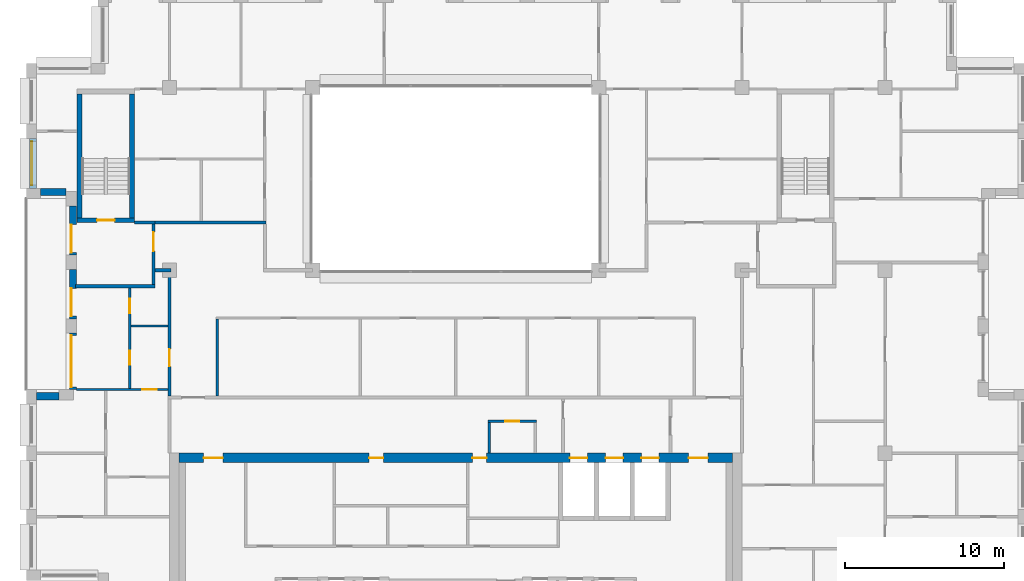
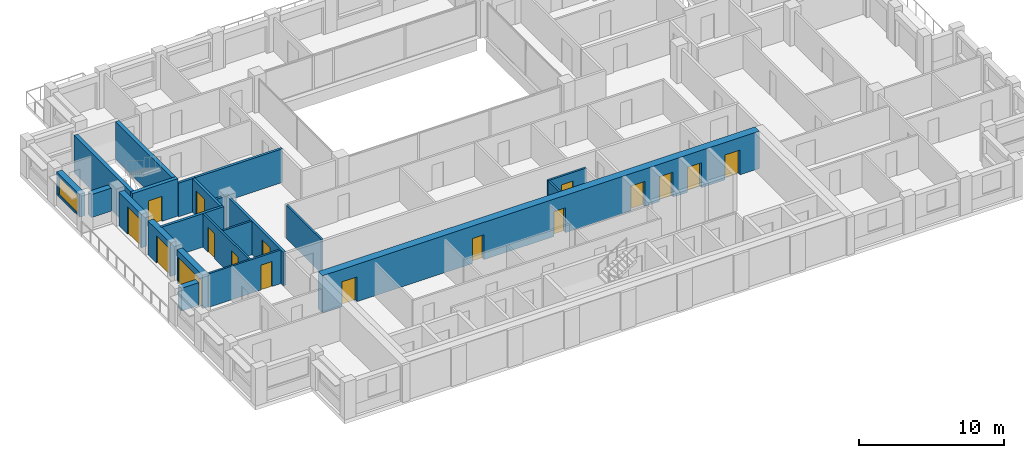
# One storey, part 9 of 15: 22 walls, 17 doors, 1 window, 18 openings.
"""IFC4 building model written with IfcOpenShell, lengths in metres."""

from ifc_helpers import new_model, si_unit, direction, frame, frame_2d, origin, place, context, subcontext, project, spatial, rectangle, extrude, material, layer, layer_set, type_object, element, fill, save


model = new_model("IFC4")

# Units and contexts
model_context = context("Model", 3, precision=1e-05, world=origin(), true_north=direction((0.0, 1.0)))
body_context = subcontext(model_context, "Body", "Model", "MODEL_VIEW")
ifc_project = project(units=[si_unit("LENGTHUNIT", "METRE"), si_unit("AREAUNIT", "SQUARE_METRE"), si_unit("VOLUMEUNIT", "CUBIC_METRE"), si_unit("PLANEANGLEUNIT", "RADIAN"), si_unit("MASSUNIT", "GRAM", prefix="KILO")], contexts=[model_context])

# Site, building, storey
site_placement = place(None, origin())
site = spatial("IfcSite", under=ifc_project, at=site_placement, CompositionType="ELEMENT")
building_placement = place(site_placement, origin())
building = spatial("IfcBuilding", under=site, at=building_placement, Name="Brigalow Station Residences", CompositionType="ELEMENT")
storey_placement = place(building_placement, frame((0.0, 0.0, 223.199951171875)))
storey = spatial("IfcBuildingStorey", under=building, at=storey_placement, Name="L64", CompositionType="ELEMENT", Elevation=223.199951171875)

# Wall, opening, window
ifc_material_1 = material(Name="Clay brick masonry", Category="masonry")
ifc_layer_1 = layer(ifc_material_1, 0.449951171875)
ifc_layer_set_1 = layer_set([ifc_layer_1], Name="BRICK INFILL WALL 450")
wall_type_1 = type_object("IfcWallType", Name="BRICK INFILL WALL 450", PredefinedType="SOLIDWALL", material=ifc_layer_set_1)
wall_1_placement = place(storey_placement, frame((9.425048828125, 32.300048828125, 0.900146484375), z_axis=(0.0, 0.0, 1.0), x_axis=(0.0, -1.0, 0.0)))
wall_1 = element("IfcWall", 1, at=wall_1_placement, inside=storey, type_object=wall_type_1, Name="L64/ewall/W-L64-35", PredefinedType="SOLIDWALL", context=body_context, shape_type="SweptSolid", body=[
    extrude(rectangle(XDim=3.150146484375, YDim=0.449951171875, at=frame_2d((1.5751953125, 0.0))), origin(), (0.0, 0.0, 1.0), 1.929931640625),
])
opening_1_placement = place(wall_1_placement, frame((0.199951171875, 0.0, 0.14990234375)))
opening_1 = element("IfcOpeningElement", 2, at=opening_1_placement, cuts=wall_1, Name="Opening WT-3", PredefinedType="OPENING", context=body_context, shape_type="SweptSolid", body=[
    extrude(rectangle(XDim=2.75, YDim=1.5, at=frame_2d((1.375, 0.75))), frame((0.0, 0.23486328125, 0.0), z_axis=(0.0, -1.0, 0.0), x_axis=(1.0, 0.0, 0.0)), (0.0, 0.0, 1.0), 0.469970703125),
])
ifc_material_2 = material(Name="Anodised aluminium frame with double glazing", Category="aluminium")
window_type = type_object("IfcWindowType", Name="WINDOW 2750x1500", PartitioningType="SINGLE_PANEL", PredefinedType="WINDOW", material=ifc_material_2)
window_placement = place(opening_1_placement, origin())
window = element("IfcWindow", 3, at=window_placement, inside=storey, type_object=window_type, Name="L64/window/W-L64-35", OverallHeight=1.5, OverallWidth=2.75, PartitioningType="SINGLE_PANEL", PredefinedType="WINDOW", context=body_context, shape_type="SweptSolid", body=[
    extrude(rectangle(XDim=2.75, YDim=1.5, at=frame_2d((1.375, 0.75))), frame((0.0, -0.06494140625, 0.0), z_axis=(0.0, -1.0, 0.0), x_axis=(1.0, 0.0, 0.0)), (0.0, 0.0, 1.0), 0.06005859375),
])
fill(opening_1, window)

# Wall
wall_2_placement = place(storey_placement, frame((9.89990234375, 28.925048828125, 0.900146484375), z_axis=(0.0, 0.0, 1.0), x_axis=(1.0, 0.0, 0.0)))
element("IfcWall", 4, at=wall_2_placement, inside=storey, type_object=wall_type_1, Name="L64/ewall/W-L64-36", PredefinedType="SOLIDWALL", context=body_context, shape_type="SweptSolid", body=[
    extrude(rectangle(XDim=1.60009765625, YDim=0.449951171875, at=frame_2d((0.800048828125, 0.0))), origin(), (0.0, 0.0, 1.0), 1.929931640625),
])

# Wall, opening, door
wall_3_placement = place(storey_placement, frame((11.925048828125, 28.050048828125, 0.0), z_axis=(0.0, 0.0, 1.0), x_axis=(0.0, -1.0, 0.0)))
wall_3 = element("IfcWall", 5, at=wall_3_placement, inside=storey, type_object=wall_type_1, Name="L64/ewall/W-L64-37", PredefinedType="SOLIDWALL", context=body_context, shape_type="SweptSolid", body=[
    extrude(rectangle(XDim=3.10009765625, YDim=0.449951171875, at=frame_2d((1.550048828125, 0.0))), origin(), (0.0, 0.0, 1.0), 2.830078125),
])
opening_2_placement = place(wall_3_placement, frame((1.18505859375, 0.0, 0.0)))
opening_2 = element("IfcOpeningElement", 6, at=opening_2_placement, cuts=wall_3, Name="Opening D-B1750", PredefinedType="OPENING", context=body_context, shape_type="SweptSolid", body=[
    extrude(rectangle(XDim=1.75, YDim=2.300048828125, at=frame_2d((0.875, 1.14990234375))), frame((0.0, 0.23486328125, 0.0), z_axis=(0.0, -1.0, 0.0), x_axis=(1.0, 0.0, 0.0)), (0.0, 0.0, 1.0), 0.469970703125),
])
ifc_material_3 = material(Name="Anodised aluminium frame with double glazing", Category="aluminium")
door_type_1 = type_object("IfcDoorType", Name="BALCONY SLIDING DOOR 1750x2300", OperationType="SLIDING_TO_LEFT", PredefinedType="DOOR", material=ifc_material_3)
door_1_placement = place(opening_2_placement, frame((1.75, -0.18994140625, 0.0), z_axis=(0.0, 0.0, 1.0), x_axis=(-1.0, 0.0, 0.0)))
door_1 = element("IfcDoor", 7, at=door_1_placement, inside=storey, type_object=door_type_1, Name="L64/balcony-door/W-L64-37", OperationType="SLIDING_TO_LEFT", OverallHeight=2.300048828125, OverallWidth=1.75, PredefinedType="DOOR", context=body_context, shape_type="SweptSolid", body=[
    extrude(rectangle(XDim=1.75, YDim=2.300048828125, at=frame_2d((0.875, 1.14990234375))), frame((0.0, -0.06982421875, 0.0), z_axis=(0.0, -1.0, 0.0), x_axis=(1.0, 0.0, 0.0)), (0.0, 0.0, 1.0), 0.050048828125),
])
fill(opening_2, door_1)

wall_4_placement = place(storey_placement, frame((11.925048828125, 24.050048828125, 0.0), z_axis=(0.0, 0.0, 1.0), x_axis=(0.0, -1.0, 0.0)))
wall_4 = element("IfcWall", 8, at=wall_4_placement, inside=storey, type_object=wall_type_1, Name="L64/ewall/W-L64-38", PredefinedType="SOLIDWALL", context=body_context, shape_type="SweptSolid", body=[
    extrude(rectangle(XDim=3.10009765625, YDim=0.449951171875, at=frame_2d((1.550048828125, 0.0))), origin(), (0.0, 0.0, 1.0), 2.830078125),
])
opening_3_placement = place(wall_4_placement, frame((1.18505859375, 0.0, 0.0)))
opening_3 = element("IfcOpeningElement", 9, at=opening_3_placement, cuts=wall_4, Name="Opening D-B1750", PredefinedType="OPENING", context=body_context, shape_type="SweptSolid", body=[
    extrude(rectangle(XDim=1.75, YDim=2.300048828125, at=frame_2d((0.875, 1.14990234375))), frame((0.0, 0.23486328125, 0.0), z_axis=(0.0, -1.0, 0.0), x_axis=(1.0, 0.0, 0.0)), (0.0, 0.0, 1.0), 0.469970703125),
])
door_2_placement = place(opening_3_placement, origin())
door_2 = element("IfcDoor", 10, at=door_2_placement, inside=storey, type_object=door_type_1, Name="L64/balcony-door/W-L64-38", OperationType="SLIDING_TO_LEFT", OverallHeight=2.300048828125, OverallWidth=1.75, PredefinedType="DOOR", context=body_context, shape_type="SweptSolid", body=[
    extrude(rectangle(XDim=1.75, YDim=2.300048828125, at=frame_2d((0.875, 1.14990234375))), frame((0.0, -0.06982421875, 0.0), z_axis=(0.0, -1.0, 0.0), x_axis=(1.0, 0.0, 0.0)), (0.0, 0.0, 1.0), 0.050048828125),
])
fill(opening_3, door_2)

wall_5_placement = place(storey_placement, frame((11.925048828125, 20.050048828125, 0.0), z_axis=(0.0, 0.0, 1.0), x_axis=(0.0, -1.0, 0.0)))
wall_5 = element("IfcWall", 11, at=wall_5_placement, inside=storey, type_object=wall_type_1, Name="L64/ewall/W-L64-39", PredefinedType="SOLIDWALL", context=body_context, shape_type="SweptSolid", body=[
    extrude(rectangle(XDim=3.550048828125, YDim=0.449951171875, at=frame_2d((1.77490234375, 0.0))), origin(), (0.0, 0.0, 1.0), 2.830078125),
])
opening_4_placement = place(wall_5_placement, frame((0.14990234375, 0.0, 0.0)))
opening_4 = element("IfcOpeningElement", 12, at=opening_4_placement, cuts=wall_5, Name="Opening D-B3250", PredefinedType="OPENING", context=body_context, shape_type="SweptSolid", body=[
    extrude(rectangle(XDim=3.25, YDim=2.300048828125, at=frame_2d((1.625, 1.14990234375))), frame((0.0, 0.23486328125, 0.0), z_axis=(0.0, -1.0, 0.0), x_axis=(1.0, 0.0, 0.0)), (0.0, 0.0, 1.0), 0.469970703125),
])
ifc_material_4 = material(Name="Anodised aluminium frame with double glazing", Category="aluminium")
door_type_2 = type_object("IfcDoorType", Name="BALCONY SLIDING DOOR 3250x2300", OperationType="SLIDING_TO_LEFT", PredefinedType="DOOR", material=ifc_material_4)
door_3_placement = place(opening_4_placement, origin())
door_3 = element("IfcDoor", 13, at=door_3_placement, inside=storey, type_object=door_type_2, Name="L64/balcony-door/W-L64-39", OperationType="SLIDING_TO_LEFT", OverallHeight=2.300048828125, OverallWidth=3.25, PredefinedType="DOOR", context=body_context, shape_type="SweptSolid", body=[
    extrude(rectangle(XDim=3.25, YDim=2.300048828125, at=frame_2d((1.625, 1.14990234375))), frame((0.0, -0.06982421875, 0.0), z_axis=(0.0, -1.0, 0.0), x_axis=(1.0, 0.0, 0.0)), (0.0, 0.0, 1.0), 0.050048828125),
])
fill(opening_4, door_3)

# Wall
wall_6_placement = place(storey_placement, frame((11.050048828125, 16.074951171875, 0.900146484375), z_axis=(0.0, 0.0, 1.0), x_axis=(-1.0, 0.0, 0.0)))
element("IfcWall", 14, at=wall_6_placement, inside=storey, type_object=wall_type_1, Name="L64/ewall/W-L64-40", PredefinedType="SOLIDWALL", context=body_context, shape_type="SweptSolid", body=[
    extrude(rectangle(XDim=1.400146484375, YDim=0.449951171875, at=frame_2d((0.7001953125, 0.0))), origin(), (0.0, 0.0, 1.0), 1.929931640625),
])

# Wall, opening, door
ifc_material_5 = material(Name="Concrete C50", Category="concrete")
ifc_layer_2 = layer(ifc_material_5, 0.300048828125)
ifc_layer_set_2 = layer_set([ifc_layer_2], Name="CORE SHEAR WALL 300 C50")
wall_type_2 = type_object("IfcWallType", Name="CORE SHEAR WALL 300 C50", PredefinedType="SHEAR", material=ifc_layer_set_2)
wall_7_placement = place(storey_placement, frame((12.199951171875, 27.14990234375, 0.0), z_axis=(0.0, 0.0, 1.0), x_axis=(1.0, 0.0, 0.0)))
wall_7 = element("IfcWall", 15, at=wall_7_placement, inside=storey, type_object=wall_type_2, Name="CORE WALL ST-S1-S L64", PredefinedType="SHEAR", context=body_context, shape_type="SweptSolid", body=[
    extrude(rectangle(XDim=3.60009765625, YDim=0.300048828125, at=frame_2d((1.800048828125, 0.0))), origin(), (0.0, 0.0, 1.0), 3.150146484375),
])
opening_5_placement = place(wall_7_placement, frame((1.25, 0.0, 0.0)))
opening_5 = element("IfcOpeningElement", 16, at=opening_5_placement, cuts=wall_7, Name="Opening D-5015", PredefinedType="OPENING", context=body_context, shape_type="SweptSolid", body=[
    extrude(rectangle(XDim=1.10009765625, YDim=2.10009765625, at=frame_2d((0.550048828125, 1.050048828125))), frame((0.0, 0.16015625, 0.0), z_axis=(0.0, -1.0, 0.0), x_axis=(1.0, 0.0, 0.0)), (0.0, 0.0, 1.0), 0.320068359375),
])
ifc_material_6 = material(Name="Steel fire door leaf in steel frame", Category="steel")
door_type_3 = type_object("IfcDoorType", Name="STAIR DOOR 1100 x 2100 FD60S", OperationType="SINGLE_SWING_LEFT", PredefinedType="DOOR", material=ifc_material_6)
door_4_placement = place(opening_5_placement, origin())
door_4 = element("IfcDoor", 17, at=door_4_placement, inside=storey, type_object=door_type_3, Name="D-5015", OperationType="SINGLE_SWING_LEFT", OverallHeight=2.10009765625, OverallWidth=1.10009765625, PredefinedType="DOOR", context=body_context, shape_type="SweptSolid", body=[
    extrude(rectangle(XDim=1.10009765625, YDim=2.10009765625, at=frame_2d((0.550048828125, 1.050048828125))), frame((0.0, 0.02490234375, 0.0), z_axis=(0.0, -1.0, 0.0), x_axis=(1.0, 0.0, 0.0)), (0.0, 0.0, 1.0), 0.050048828125),
])
fill(opening_5, door_4)

# Walls
for number, where, z_axis, x_axis, name in (
    (18, (12.35009765625, 27.300048828125, 0.0), (0.0, 0.0, 1.0), (0.0, 1.0, 0.0), "CORE WALL ST-S1-W L64"),
    (19, (15.64990234375, 27.300048828125, 0.0), (0.0, 0.0, 1.0), (0.0, 1.0, 0.0), "CORE WALL ST-S1-E L64"),
):
    element("IfcWall", number, at=place(storey_placement, frame(where, z_axis=z_axis, x_axis=x_axis)), inside=storey, type_object=wall_type_2, Name=name, PredefinedType="SHEAR", context=body_context, shape_type="SweptSolid", body=[
        extrude(rectangle(XDim=7.800048828125, YDim=0.300048828125, at=frame_2d((3.89990234375, 0.0))), origin(), (0.0, 0.0, 1.0), 3.150146484375),
    ])

# Wall, openings, doors
ifc_material_7 = material(Name="Concrete C50", Category="concrete")
ifc_layer_3 = layer(ifc_material_7, 0.60009765625)
ifc_layer_set_3 = layer_set([ifc_layer_3], Name="CORE SHEAR WALL 600 C50")
wall_type_3 = type_object("IfcWallType", Name="CORE SHEAR WALL 600 C50", PredefinedType="SHEAR", material=ifc_layer_set_3)
wall_8_placement = place(storey_placement, frame((18.60009765625, 12.199951171875, 0.0), z_axis=(0.0, 0.0, 1.0), x_axis=(1.0, 0.0, 0.0)))
wall_8 = element("IfcWall", 20, at=wall_8_placement, inside=storey, type_object=wall_type_3, Name="CORE WALL OUT-N L64", PredefinedType="SHEAR", context=body_context, shape_type="SweptSolid", body=[
    extrude(rectangle(XDim=34.7998046875, YDim=0.60009765625, at=frame_2d((17.39990234375, 0.0))), origin(), (0.0, 0.0, 1.0), 3.150146484375),
])
opening_6_placement = place(wall_8_placement, frame((24.574951171875, 0.0, 0.0)))
opening_6 = element("IfcOpeningElement", 21, at=opening_6_placement, cuts=wall_8, Name="Opening LD-LF1", PredefinedType="OPENING", context=body_context, shape_type="SweptSolid", body=[
    extrude(rectangle(XDim=1.10009765625, YDim=2.10009765625, at=frame_2d((0.550048828125, 1.050048828125))), frame((0.0, 0.31005859375, 0.0), z_axis=(0.0, -1.0, 0.0), x_axis=(1.0, 0.0, 0.0)), (0.0, 0.0, 1.0), 0.6201171875),
])
opening_7_placement = place(wall_8_placement, frame((26.824951171875, 0.0, 0.0)))
opening_7 = element("IfcOpeningElement", 22, at=opening_7_placement, cuts=wall_8, Name="Opening LD-LF2", PredefinedType="OPENING", context=body_context, shape_type="SweptSolid", body=[
    extrude(rectangle(XDim=1.10009765625, YDim=2.10009765625, at=frame_2d((0.550048828125, 1.050048828125))), frame((0.0, 0.31005859375, 0.0), z_axis=(0.0, -1.0, 0.0), x_axis=(1.0, 0.0, 0.0)), (0.0, 0.0, 1.0), 0.6201171875),
])
opening_8_placement = place(wall_8_placement, frame((29.074951171875, 0.0, 0.0)))
opening_8 = element("IfcOpeningElement", 23, at=opening_8_placement, cuts=wall_8, Name="Opening LD-LG1", PredefinedType="OPENING", context=body_context, shape_type="SweptSolid", body=[
    extrude(rectangle(XDim=1.10009765625, YDim=2.10009765625, at=frame_2d((0.550048828125, 1.050048828125))), frame((0.0, 0.31005859375, 0.0), z_axis=(0.0, -1.0, 0.0), x_axis=(1.0, 0.0, 0.0)), (0.0, 0.0, 1.0), 0.6201171875),
])
opening_9_placement = place(wall_8_placement, frame((11.949951171875, 0.0, 0.0)))
opening_9 = element("IfcOpeningElement", 24, at=opening_9_placement, cuts=wall_8, Name="Opening D-5122", PredefinedType="OPENING", context=body_context, shape_type="SweptSolid", body=[
    extrude(rectangle(XDim=0.89990234375, YDim=2.10009765625, at=frame_2d((0.449951171875, 1.050048828125))), frame((0.0, 0.31005859375, 0.0), z_axis=(0.0, -1.0, 0.0), x_axis=(1.0, 0.0, 0.0)), (0.0, 0.0, 1.0), 0.6201171875),
])
opening_10_placement = place(wall_8_placement, frame((18.449951171875, 0.0, 0.0)))
opening_10 = element("IfcOpeningElement", 25, at=opening_10_placement, cuts=wall_8, Name="Opening D-5119", PredefinedType="OPENING", context=body_context, shape_type="SweptSolid", body=[
    extrude(rectangle(XDim=0.89990234375, YDim=2.10009765625, at=frame_2d((0.449951171875, 1.050048828125))), frame((0.0, 0.31005859375, 0.0), z_axis=(0.0, -1.0, 0.0), x_axis=(1.0, 0.0, 0.0)), (0.0, 0.0, 1.0), 0.6201171875),
])
opening_11_placement = place(wall_8_placement, frame((1.550048828125, 0.0, 0.0)))
opening_11 = element("IfcOpeningElement", 26, at=opening_11_placement, cuts=wall_8, Name="Opening D-5011", PredefinedType="OPENING", context=body_context, shape_type="SweptSolid", body=[
    extrude(rectangle(XDim=1.199951171875, YDim=2.10009765625, at=frame_2d((0.60009765625, 1.050048828125))), frame((0.0, 0.31005859375, 0.0), z_axis=(0.0, -1.0, 0.0), x_axis=(1.0, 0.0, 0.0)), (0.0, 0.0, 1.0), 0.6201171875),
])
opening_12_placement = place(wall_8_placement, frame((32.050048828125, 0.0, 0.0)))
opening_12 = element("IfcOpeningElement", 27, at=opening_12_placement, cuts=wall_8, Name="Opening D-5012", PredefinedType="OPENING", context=body_context, shape_type="SweptSolid", body=[
    extrude(rectangle(XDim=1.199951171875, YDim=2.10009765625, at=frame_2d((0.60009765625, 1.050048828125))), frame((0.0, 0.31005859375, 0.0), z_axis=(0.0, -1.0, 0.0), x_axis=(1.0, 0.0, 0.0)), (0.0, 0.0, 1.0), 0.6201171875),
])
ifc_material_8 = material(Name="Steel fire door leaf in steel frame", Category="steel")
door_type_4 = type_object("IfcDoorType", Name="CORE CORRIDOR DOOR 1200 x 2100 FD60S", OperationType="SINGLE_SWING_LEFT", PredefinedType="DOOR", material=ifc_material_8)
door_5_placement = place(opening_11_placement, frame((1.199951171875, 0.0, 0.0), z_axis=(0.0, 0.0, 1.0), x_axis=(-1.0, 0.0, 0.0)))
door_5 = element("IfcDoor", 28, at=door_5_placement, inside=storey, type_object=door_type_4, Name="D-5011", OperationType="SINGLE_SWING_LEFT", OverallHeight=2.10009765625, OverallWidth=1.199951171875, PredefinedType="DOOR", context=body_context, shape_type="SweptSolid", body=[
    extrude(rectangle(XDim=1.199951171875, YDim=2.10009765625, at=frame_2d((0.60009765625, 1.050048828125))), frame((0.0, 0.02490234375, 0.0), z_axis=(0.0, -1.0, 0.0), x_axis=(1.0, 0.0, 0.0)), (0.0, 0.0, 1.0), 0.050048828125),
])
fill(opening_11, door_5)
door_6_placement = place(opening_12_placement, frame((1.199951171875, 0.0, 0.0), z_axis=(0.0, 0.0, 1.0), x_axis=(-1.0, 0.0, 0.0)))
door_6 = element("IfcDoor", 29, at=door_6_placement, inside=storey, type_object=door_type_4, Name="D-5012", OperationType="SINGLE_SWING_LEFT", OverallHeight=2.10009765625, OverallWidth=1.199951171875, PredefinedType="DOOR", context=body_context, shape_type="SweptSolid", body=[
    extrude(rectangle(XDim=1.199951171875, YDim=2.10009765625, at=frame_2d((0.60009765625, 1.050048828125))), frame((0.0, 0.02490234375, 0.0), z_axis=(0.0, -1.0, 0.0), x_axis=(1.0, 0.0, 0.0)), (0.0, 0.0, 1.0), 0.050048828125),
])
fill(opening_12, door_6)
ifc_material_9 = material(Name="Stainless steel sliding door leaves", Category="steel")
door_type_5 = type_object("IfcDoorType", Name="LIFT LANDING DOOR 1100 x 2100", OperationType="DOUBLE_DOOR_SLIDING", PredefinedType="DOOR", material=ifc_material_9)
door_7_placement = place(opening_6_placement, origin())
door_7 = element("IfcDoor", 30, at=door_7_placement, inside=storey, type_object=door_type_5, Name="LANDING DOOR LF1", OperationType="DOUBLE_DOOR_SLIDING", OverallHeight=2.10009765625, OverallWidth=1.10009765625, PredefinedType="DOOR", context=body_context, shape_type="SweptSolid", body=[
    extrude(rectangle(XDim=1.10009765625, YDim=2.10009765625, at=frame_2d((0.550048828125, 1.050048828125))), frame((0.0, 0.02490234375, 0.0), z_axis=(0.0, -1.0, 0.0), x_axis=(1.0, 0.0, 0.0)), (0.0, 0.0, 1.0), 0.050048828125),
])
fill(opening_6, door_7)
door_8_placement = place(opening_7_placement, origin())
door_8 = element("IfcDoor", 31, at=door_8_placement, inside=storey, type_object=door_type_5, Name="LANDING DOOR LF2", OperationType="DOUBLE_DOOR_SLIDING", OverallHeight=2.10009765625, OverallWidth=1.10009765625, PredefinedType="DOOR", context=body_context, shape_type="SweptSolid", body=[
    extrude(rectangle(XDim=1.10009765625, YDim=2.10009765625, at=frame_2d((0.550048828125, 1.050048828125))), frame((0.0, 0.02490234375, 0.0), z_axis=(0.0, -1.0, 0.0), x_axis=(1.0, 0.0, 0.0)), (0.0, 0.0, 1.0), 0.050048828125),
])
fill(opening_7, door_8)
door_9_placement = place(opening_8_placement, origin())
door_9 = element("IfcDoor", 32, at=door_9_placement, inside=storey, type_object=door_type_5, Name="LANDING DOOR LG1", OperationType="DOUBLE_DOOR_SLIDING", OverallHeight=2.10009765625, OverallWidth=1.10009765625, PredefinedType="DOOR", context=body_context, shape_type="SweptSolid", body=[
    extrude(rectangle(XDim=1.10009765625, YDim=2.10009765625, at=frame_2d((0.550048828125, 1.050048828125))), frame((0.0, 0.02490234375, 0.0), z_axis=(0.0, -1.0, 0.0), x_axis=(1.0, 0.0, 0.0)), (0.0, 0.0, 1.0), 0.050048828125),
])
fill(opening_8, door_9)
ifc_material_10 = material(Name="Steel door leaf in steel frame", Category="steel")
door_type_6 = type_object("IfcDoorType", Name="SERVICE ROOM DOOR 900 x 2100 FD60", OperationType="SINGLE_SWING_LEFT", PredefinedType="DOOR", material=ifc_material_10)
door_10_placement = place(opening_9_placement, frame((0.89990234375, 0.0, 0.0), z_axis=(0.0, 0.0, 1.0), x_axis=(-1.0, 0.0, 0.0)))
door_10 = element("IfcDoor", 33, at=door_10_placement, inside=storey, type_object=door_type_6, Name="D-5122", OperationType="SINGLE_SWING_RIGHT", OverallHeight=2.10009765625, OverallWidth=0.89990234375, PredefinedType="DOOR", context=body_context, shape_type="SweptSolid", body=[
    extrude(rectangle(XDim=0.89990234375, YDim=2.10009765625, at=frame_2d((0.449951171875, 1.050048828125))), frame((0.0, 0.02490234375, 0.0), z_axis=(0.0, -1.0, 0.0), x_axis=(1.0, 0.0, 0.0)), (0.0, 0.0, 1.0), 0.050048828125),
])
fill(opening_9, door_10)
door_11_placement = place(opening_10_placement, frame((0.89990234375, 0.0, 0.0), z_axis=(0.0, 0.0, 1.0), x_axis=(-1.0, 0.0, 0.0)))
door_11 = element("IfcDoor", 34, at=door_11_placement, inside=storey, type_object=door_type_6, Name="D-5119", OperationType="SINGLE_SWING_RIGHT", OverallHeight=2.10009765625, OverallWidth=0.89990234375, PredefinedType="DOOR", context=body_context, shape_type="SweptSolid", body=[
    extrude(rectangle(XDim=0.89990234375, YDim=2.10009765625, at=frame_2d((0.449951171875, 1.050048828125))), frame((0.0, 0.02490234375, 0.0), z_axis=(0.0, -1.0, 0.0), x_axis=(1.0, 0.0, 0.0)), (0.0, 0.0, 1.0), 0.050048828125),
])
fill(opening_10, door_11)

# Walls
ifc_material_11 = material(Name="Concrete blockwork", Category="masonry")
ifc_layer_4 = layer(ifc_material_11, 0.199951171875)
ifc_layer_set_4 = layer_set([ifc_layer_4], Name="FIRE RATED CORE PARTITION 200")
wall_type_4 = type_object("IfcWallType", Name="FIRE RATED CORE PARTITION 200", PredefinedType="PARTITIONING", material=ifc_layer_set_4)
wall_9_placement = place(storey_placement, frame((12.10009765625, 23.0, 0.0), z_axis=(0.0, 0.0, 1.0), x_axis=(1.0, 0.0, 0.0)))
element("IfcWall", 35, at=wall_9_placement, inside=storey, type_object=wall_type_4, Name="PW-5023", PredefinedType="PARTITIONING", context=body_context, shape_type="SweptSolid", body=[
    extrude(rectangle(XDim=5.0, YDim=0.199951171875, at=frame_2d((2.5, 0.0))), origin(), (0.0, 0.0, 1.0), 2.830078125),
])
wall_10_placement = place(storey_placement, frame((15.800048828125, 27.0, 0.0), z_axis=(0.0, 0.0, 1.0), x_axis=(1.0, 0.0, 0.0)))
element("IfcWall", 36, at=wall_10_placement, inside=storey, type_object=wall_type_4, Name="PW-5025", PredefinedType="PARTITIONING", context=body_context, shape_type="SweptSolid", body=[
    extrude(rectangle(XDim=1.300048828125, YDim=0.199951171875, at=frame_2d((0.64990234375, 0.0))), origin(), (0.0, 0.0, 1.0), 2.830078125),
])

# Wall, opening, door
wall_11_placement = place(storey_placement, frame((17.0, 23.10009765625, 0.0), z_axis=(0.0, 0.0, 1.0), x_axis=(0.0, 1.0, 0.0)))
wall_11 = element("IfcWall", 37, at=wall_11_placement, inside=storey, type_object=wall_type_4, Name="PW-5035", PredefinedType="PARTITIONING", context=body_context, shape_type="SweptSolid", body=[
    extrude(rectangle(XDim=3.7998046875, YDim=0.199951171875, at=frame_2d((1.89990234375, 0.0))), origin(), (0.0, 0.0, 1.0), 2.830078125),
])
opening_13_placement = place(wall_11_placement, frame((2.10009765625, 0.0, 0.0)))
opening_13 = element("IfcOpeningElement", 38, at=opening_13_placement, cuts=wall_11, Name="Opening D-5016", PredefinedType="OPENING", context=body_context, shape_type="SweptSolid", body=[
    extrude(rectangle(XDim=1.199951171875, YDim=2.10009765625, at=frame_2d((0.60009765625, 1.050048828125))), frame((0.0, 0.10986328125, 0.0), z_axis=(0.0, -1.0, 0.0), x_axis=(1.0, 0.0, 0.0)), (0.0, 0.0, 1.0), 0.219970703125),
])
ifc_material_12 = material(Name="Steel fire door leaf in steel frame", Category="steel")
door_type_7 = type_object("IfcDoorType", Name="STAIR LOBBY DOOR 1200 x 2100 FD60S", OperationType="SINGLE_SWING_LEFT", PredefinedType="DOOR", material=ifc_material_12)
door_12_placement = place(opening_13_placement, origin())
door_12 = element("IfcDoor", 39, at=door_12_placement, inside=storey, type_object=door_type_7, Name="D-5016", OperationType="SINGLE_SWING_RIGHT", OverallHeight=2.10009765625, OverallWidth=1.199951171875, PredefinedType="DOOR", context=body_context, shape_type="SweptSolid", body=[
    extrude(rectangle(XDim=1.199951171875, YDim=2.10009765625, at=frame_2d((0.60009765625, 1.050048828125))), frame((0.0, 0.02490234375, 0.0), z_axis=(0.0, -1.0, 0.0), x_axis=(1.0, 0.0, 0.0)), (0.0, 0.0, 1.0), 0.050048828125),
])
fill(opening_13, door_12)

# Wall
ifc_material_13 = material(Name="Plasterboard on steel stud partition", Category="steel")
ifc_layer_5 = layer(ifc_material_13, 0.14990234375)
ifc_layer_set_5 = layer_set([ifc_layer_5], Name="FLAT PARTITION 150")
wall_type_5 = type_object("IfcWallType", Name="FLAT PARTITION 150", PredefinedType="PARTITIONING", material=ifc_layer_set_5)
wall_12_placement = place(storey_placement, frame((15.574951171875, 20.5, 0.0), z_axis=(0.0, 0.0, 1.0), x_axis=(1.0, 0.0, 0.0)))
element("IfcWall", 40, at=wall_12_placement, inside=storey, type_object=wall_type_5, Name="PW-4D08", PredefinedType="PARTITIONING", context=body_context, shape_type="SweptSolid", body=[
    extrude(rectangle(XDim=2.324951171875, YDim=0.14990234375, at=frame_2d((1.16259765625, 0.0))), origin(), (0.0, 0.0, 1.0), 2.830078125),
])

# Wall, opening, door
wall_13_placement = place(storey_placement, frame((12.14990234375, 16.5, 0.0), z_axis=(0.0, 0.0, 1.0), x_axis=(1.0, 0.0, 0.0)))
wall_13 = element("IfcWall", 41, at=wall_13_placement, inside=storey, type_object=wall_type_5, Name="PW-4D09", PredefinedType="PARTITIONING", context=body_context, shape_type="SweptSolid", body=[
    extrude(rectangle(XDim=5.75, YDim=0.14990234375, at=frame_2d((2.875, 0.0))), origin(), (0.0, 0.0, 1.0), 2.830078125),
])
opening_14_placement = place(wall_13_placement, frame((4.14990234375, 0.0, 0.0)))
opening_14 = element("IfcOpeningElement", 42, at=opening_14_placement, cuts=wall_13, Name="Opening D-4D04", PredefinedType="OPENING", context=body_context, shape_type="SweptSolid", body=[
    extrude(rectangle(XDim=0.89990234375, YDim=2.10009765625, at=frame_2d((0.449951171875, 1.050048828125))), frame((0.0, 0.0849609375, 0.0), z_axis=(0.0, -1.0, 0.0), x_axis=(1.0, 0.0, 0.0)), (0.0, 0.0, 1.0), 0.169921875),
])
ifc_material_14 = material(Name="Solid-core timber door leaf", Category="wood")
door_type_8 = type_object("IfcDoorType", Name="INTERNAL DOOR 900 x 2100", OperationType="SINGLE_SWING_LEFT", PredefinedType="DOOR", material=ifc_material_14)
door_13_placement = place(opening_14_placement, origin())
door_13 = element("IfcDoor", 43, at=door_13_placement, inside=storey, type_object=door_type_8, Name="D-4D04", OperationType="SINGLE_SWING_RIGHT", OverallHeight=2.10009765625, OverallWidth=0.89990234375, PredefinedType="DOOR", context=body_context, shape_type="SweptSolid", body=[
    extrude(rectangle(XDim=0.89990234375, YDim=2.10009765625, at=frame_2d((0.449951171875, 1.050048828125))), frame((0.0, 0.02490234375, 0.0), z_axis=(0.0, -1.0, 0.0), x_axis=(1.0, 0.0, 0.0)), (0.0, 0.0, 1.0), 0.050048828125),
])
fill(opening_14, door_13)

# Wall
wall_14_placement = place(storey_placement, frame((21.0, 16.10009765625, 0.0), z_axis=(0.0, 0.0, 1.0), x_axis=(0.0, 1.0, 0.0)))
element("IfcWall", 44, at=wall_14_placement, inside=storey, type_object=wall_type_5, Name="PW-4D32", PredefinedType="PARTITIONING", context=body_context, shape_type="SweptSolid", body=[
    extrude(rectangle(XDim=4.824951171875, YDim=0.14990234375, at=frame_2d((2.41259765625, 0.0))), origin(), (0.0, 0.0, 1.0), 2.830078125),
])

# Wall, openings, doors
wall_15_placement = place(storey_placement, frame((15.5, 16.574951171875, 0.0), z_axis=(0.0, 0.0, 1.0), x_axis=(0.0, 1.0, 0.0)))
wall_15 = element("IfcWall", 45, at=wall_15_placement, inside=storey, type_object=wall_type_5, Name="PW-4D38", PredefinedType="PARTITIONING", context=body_context, shape_type="SweptSolid", body=[
    extrude(rectangle(XDim=6.324951171875, YDim=0.14990234375, at=frame_2d((3.16259765625, 0.0))), origin(), (0.0, 0.0, 1.0), 2.830078125),
])
opening_15_placement = place(wall_15_placement, frame((1.47509765625, 0.0, 0.0)))
opening_15 = element("IfcOpeningElement", 46, at=opening_15_placement, cuts=wall_15, Name="Opening D-4D05", PredefinedType="OPENING", context=body_context, shape_type="SweptSolid", body=[
    extrude(rectangle(XDim=0.89990234375, YDim=2.10009765625, at=frame_2d((0.449951171875, 1.050048828125))), frame((0.0, 0.0849609375, 0.0), z_axis=(0.0, -1.0, 0.0), x_axis=(1.0, 0.0, 0.0)), (0.0, 0.0, 1.0), 0.169921875),
])
opening_16_placement = place(wall_15_placement, frame((4.72509765625, 0.0, 0.0)))
opening_16 = element("IfcOpeningElement", 47, at=opening_16_placement, cuts=wall_15, Name="Opening D-4D06", PredefinedType="OPENING", context=body_context, shape_type="SweptSolid", body=[
    extrude(rectangle(XDim=0.89990234375, YDim=2.10009765625, at=frame_2d((0.449951171875, 1.050048828125))), frame((0.0, 0.0849609375, 0.0), z_axis=(0.0, -1.0, 0.0), x_axis=(1.0, 0.0, 0.0)), (0.0, 0.0, 1.0), 0.169921875),
])
door_14_placement = place(opening_15_placement, frame((0.89990234375, 0.0, 0.0), z_axis=(0.0, 0.0, 1.0), x_axis=(-1.0, 0.0, 0.0)))
door_14 = element("IfcDoor", 48, at=door_14_placement, inside=storey, type_object=door_type_8, Name="D-4D05", OperationType="SINGLE_SWING_RIGHT", OverallHeight=2.10009765625, OverallWidth=0.89990234375, PredefinedType="DOOR", context=body_context, shape_type="SweptSolid", body=[
    extrude(rectangle(XDim=0.89990234375, YDim=2.10009765625, at=frame_2d((0.449951171875, 1.050048828125))), frame((0.0, 0.02490234375, 0.0), z_axis=(0.0, -1.0, 0.0), x_axis=(1.0, 0.0, 0.0)), (0.0, 0.0, 1.0), 0.050048828125),
])
fill(opening_15, door_14)
door_15_placement = place(opening_16_placement, frame((0.89990234375, 0.0, 0.0), z_axis=(0.0, 0.0, 1.0), x_axis=(-1.0, 0.0, 0.0)))
door_15 = element("IfcDoor", 49, at=door_15_placement, inside=storey, type_object=door_type_8, Name="D-4D06", OperationType="SINGLE_SWING_LEFT", OverallHeight=2.10009765625, OverallWidth=0.89990234375, PredefinedType="DOOR", context=body_context, shape_type="SweptSolid", body=[
    extrude(rectangle(XDim=0.89990234375, YDim=2.10009765625, at=frame_2d((0.449951171875, 1.050048828125))), frame((0.0, 0.02490234375, 0.0), z_axis=(0.0, -1.0, 0.0), x_axis=(1.0, 0.0, 0.0)), (0.0, 0.0, 1.0), 0.050048828125),
])
fill(opening_16, door_15)

# Walls
ifc_material_15 = material(Name="Plasterboard on steel stud partition", Category="steel")
ifc_layer_6 = layer(ifc_material_15, 0.199951171875)
ifc_layer_set_6 = layer_set([ifc_layer_6], Name="PARTY AND CORRIDOR WALL 200")
wall_type_6 = type_object("IfcWallType", Name="PARTY AND CORRIDOR WALL 200", PredefinedType="PARTITIONING", material=ifc_layer_set_6)
wall_16_placement = place(storey_placement, frame((17.10009765625, 24.0, 0.0), z_axis=(0.0, 0.0, 1.0), x_axis=(1.0, 0.0, 0.0)))
element("IfcWall", 50, at=wall_16_placement, inside=storey, type_object=wall_type_6, Name="PW-4D01", PredefinedType="PARTITIONING", context=body_context, shape_type="SweptSolid", body=[
    extrude(rectangle(XDim=1.0, YDim=0.199951171875, at=frame_2d((0.5, 0.0))), origin(), (0.0, 0.0, 1.0), 2.830078125),
])
wall_17_placement = place(storey_placement, frame((17.10009765625, 27.0, 0.0), z_axis=(0.0, 0.0, 1.0), x_axis=(1.0, 0.0, 0.0)))
element("IfcWall", 51, at=wall_17_placement, inside=storey, type_object=wall_type_6, Name="PW-4D06", PredefinedType="PARTITIONING", context=body_context, shape_type="SweptSolid", body=[
    extrude(rectangle(XDim=6.974853515625, YDim=0.199951171875, at=frame_2d((3.4873046875, 0.0))), origin(), (0.0, 0.0, 1.0), 2.830078125),
])

# Wall, opening, door
wall_18_placement = place(storey_placement, frame((18.0, 16.10009765625, 0.0), z_axis=(0.0, 0.0, 1.0), x_axis=(0.0, 1.0, 0.0)))
wall_18 = element("IfcWall", 52, at=wall_18_placement, inside=storey, type_object=wall_type_6, Name="PW-4D29", PredefinedType="PARTITIONING", context=body_context, shape_type="SweptSolid", body=[
    extrude(rectangle(XDim=7.7998046875, YDim=0.199951171875, at=frame_2d((3.89990234375, 0.0))), origin(), (0.0, 0.0, 1.0), 2.830078125),
])
opening_17_placement = place(wall_18_placement, frame((1.85009765625, 0.0, 0.0)))
opening_17 = element("IfcOpeningElement", 53, at=opening_17_placement, cuts=wall_18, Name="Opening D-4D03", PredefinedType="OPENING", context=body_context, shape_type="SweptSolid", body=[
    extrude(rectangle(XDim=1.10009765625, YDim=2.10009765625, at=frame_2d((0.550048828125, 1.050048828125))), frame((0.0, 0.10986328125, 0.0), z_axis=(0.0, -1.0, 0.0), x_axis=(1.0, 0.0, 0.0)), (0.0, 0.0, 1.0), 0.219970703125),
])
ifc_material_16 = material(Name="Solid-core timber door leaf", Category="wood")
door_type_9 = type_object("IfcDoorType", Name="FLAT ENTRANCE DOOR 1100 x 2100 FRL -/60/30", OperationType="SINGLE_SWING_LEFT", PredefinedType="DOOR", material=ifc_material_16)
door_16_placement = place(opening_17_placement, origin())
door_16 = element("IfcDoor", 54, at=door_16_placement, inside=storey, type_object=door_type_9, Name="D-4D03", OperationType="SINGLE_SWING_RIGHT", OverallHeight=2.10009765625, OverallWidth=1.10009765625, PredefinedType="DOOR", context=body_context, shape_type="SweptSolid", body=[
    extrude(rectangle(XDim=1.10009765625, YDim=2.10009765625, at=frame_2d((0.550048828125, 1.050048828125))), frame((0.0, 0.02490234375, 0.0), z_axis=(0.0, -1.0, 0.0), x_axis=(1.0, 0.0, 0.0)), (0.0, 0.0, 1.0), 0.050048828125),
])
fill(opening_17, door_16)

ifc_material_17 = material(Name="Plasterboard on steel studs", Category="steel")
ifc_layer_7 = layer(ifc_material_17, 0.14990234375)
ifc_layer_set_7 = layer_set([ifc_layer_7], Name="SERVICE ROOM PARTITION 150")
wall_type_7 = type_object("IfcWallType", Name="SERVICE ROOM PARTITION 150", PredefinedType="PARTITIONING", material=ifc_layer_set_7)
wall_19_placement = place(storey_placement, frame((38.02490234375, 14.5, 0.0), z_axis=(0.0, 0.0, 1.0), x_axis=(1.0, 0.0, 0.0)))
wall_19 = element("IfcWall", 55, at=wall_19_placement, inside=storey, type_object=wall_type_7, Name="PW-5138", PredefinedType="PARTITIONING", context=body_context, shape_type="SweptSolid", body=[
    extrude(rectangle(XDim=3.050048828125, YDim=0.14990234375, at=frame_2d((1.52490234375, 0.0))), origin(), (0.0, 0.0, 1.0), 2.830078125),
])
opening_18_placement = place(wall_19_placement, frame((1.074951171875, 0.0, 0.0)))
opening_18 = element("IfcOpeningElement", 56, at=opening_18_placement, cuts=wall_19, Name="Opening D-5079", PredefinedType="OPENING", context=body_context, shape_type="SweptSolid", body=[
    extrude(rectangle(XDim=0.89990234375, YDim=2.10009765625, at=frame_2d((0.449951171875, 1.050048828125))), frame((0.0, 0.0849609375, 0.0), z_axis=(0.0, -1.0, 0.0), x_axis=(1.0, 0.0, 0.0)), (0.0, 0.0, 1.0), 0.169921875),
])
door_17_placement = place(opening_18_placement, frame((0.89990234375, 0.0, 0.0), z_axis=(0.0, 0.0, 1.0), x_axis=(-1.0, 0.0, 0.0)))
door_17 = element("IfcDoor", 57, at=door_17_placement, inside=storey, type_object=door_type_6, Name="D-5079", OperationType="SINGLE_SWING_RIGHT", OverallHeight=2.10009765625, OverallWidth=0.89990234375, PredefinedType="DOOR", context=body_context, shape_type="SweptSolid", body=[
    extrude(rectangle(XDim=0.89990234375, YDim=2.10009765625, at=frame_2d((0.449951171875, 1.050048828125))), frame((0.0, 0.02490234375, 0.0), z_axis=(0.0, -1.0, 0.0), x_axis=(1.0, 0.0, 0.0)), (0.0, 0.0, 1.0), 0.050048828125),
])
fill(opening_18, door_17)

# Wall
wall_20_placement = place(storey_placement, frame((38.10009765625, 12.5, 0.0), z_axis=(0.0, 0.0, 1.0), x_axis=(0.0, 1.0, 0.0)))
element("IfcWall", 58, at=wall_20_placement, inside=storey, type_object=wall_type_7, Name="PW-5139", PredefinedType="PARTITIONING", context=body_context, shape_type="SweptSolid", body=[
    extrude(rectangle(XDim=1.925048828125, YDim=0.14990234375, at=frame_2d((0.96240234375, 0.0))), origin(), (0.0, 0.0, 1.0), 2.830078125),
])

save(model, "model.ifc")
